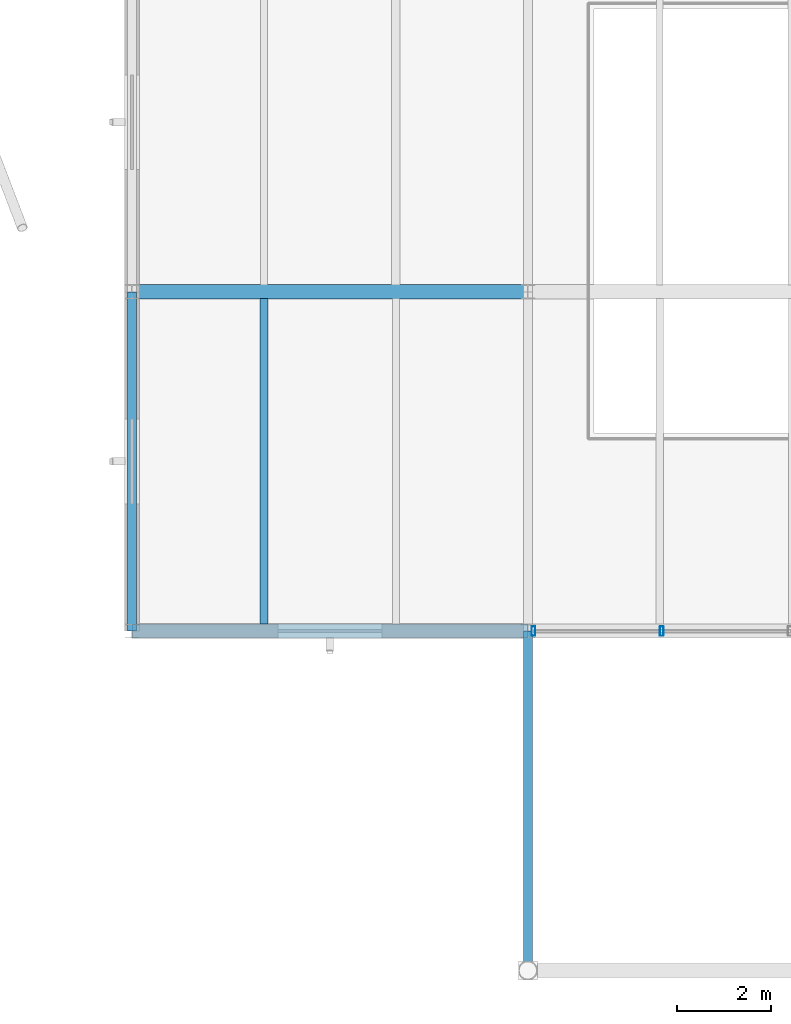
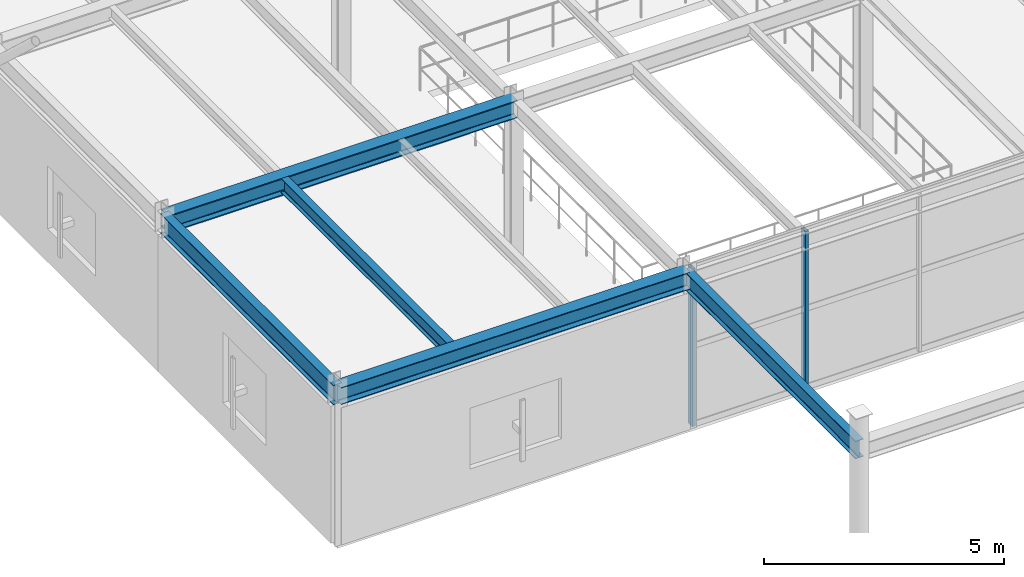
# One storey, part 25 of 109: 5 beams, 2 members, 1 element without a shape of its own.
"""IFC4 building model written with IfcOpenShell, lengths in metres."""

from ifc_helpers import new_model, si_unit, derived_unit, direction, frame, origin, origin_2d, place, context, subcontext, project, spatial, hollow_rectangle, i_section, extrude, material, material_profile, profile_set, type_object, element, aggregate, save


model = new_model("IFC4")

# Units and contexts
model_context = context("Model", 3, precision=1e-05, world=origin(), true_north=direction((0.0, 1.0)))
body_context = subcontext(model_context, "Body", "Model", "MODEL_VIEW")
ifc_project = project(units=[si_unit("LENGTHUNIT", "METRE"), si_unit("AREAUNIT", "SQUARE_METRE"), si_unit("VOLUMEUNIT", "CUBIC_METRE"), si_unit("PLANEANGLEUNIT", "RADIAN"), si_unit("MASSUNIT", "GRAM", prefix="KILO"), derived_unit("THERMALTRANSMITTANCEUNIT", [(si_unit("MASSUNIT", "GRAM", prefix="KILO"), 1), (si_unit("TIMEUNIT", "SECOND"), -3), (si_unit("THERMODYNAMICTEMPERATUREUNIT", "KELVIN"), -1)])], contexts=[model_context])

# Site, building, storey
site_placement = place(None, origin())
site = spatial("IfcSite", under=ifc_project, at=site_placement, CompositionType="ELEMENT")
building_placement = place(site_placement, origin())
building = spatial("IfcBuilding", under=site, at=building_placement, Name="Kharveza Railside Sports Centre", CompositionType="ELEMENT")
storey_placement = place(building_placement, frame((0.0, 0.0, 4.5)))
storey = spatial("IfcBuildingStorey", under=building, at=storey_placement, Name="L01", CompositionType="ELEMENT", Elevation=4.5)

# Beams
ifc_material_1 = material(Name="Steel S355J2", Category="steel")
ifc_material_profile_1 = material_profile(ifc_material_1, i_section(OverallWidth=0.199951171875, OverallDepth=0.5, WebThickness=0.01025390625, FlangeThickness=0.01611328125, FilletRadius=0.02099609375, at=origin_2d()), Name="IPE 500")
ifc_profile_set_1 = profile_set([ifc_material_profile_1], Name="Steel S355J2")
beam_type_1 = type_object("IfcBeamType", Name="BM-G03", PredefinedType="T_BEAM", material=ifc_profile_set_1)
beam_1_placement = place(storey_placement, frame((75.60009765625, 7.199951171875, 3.75), z_axis=(0.0, 1.0, 0.0), x_axis=(-1.0, 0.0, 0.0)))
element("IfcBeam", 1, at=beam_1_placement, inside=storey, type_object=beam_type_1, Name="BM-NS-L01-B03-X756-Y72", PredefinedType="T_BEAM", context=body_context, shape_type="SweptSolid", body=[
    extrude(i_section(OverallWidth=0.199951171875, OverallDepth=0.5, WebThickness=0.01025390625, FlangeThickness=0.01611328125, FilletRadius=0.02099609375, at=origin_2d()), origin(), (0.0, 0.0, 1.0), 7.199951171875),
])
ifc_material_profile_2 = material_profile(ifc_material_1, i_section(OverallWidth=0.18994140625, OverallDepth=0.449951171875, WebThickness=0.009521484375, FlangeThickness=0.0146484375, FilletRadius=0.02099609375, at=origin_2d()), Name="IPE 450")
ifc_profile_set_2 = profile_set([ifc_material_profile_2], Name="Steel S355J2")
beam_type_2 = type_object("IfcBeamType", Name="BM-G04", PredefinedType="T_BEAM", material=ifc_profile_set_2)
beam_2_placement = place(storey_placement, frame((84.0, 0.0, 3.77490234375), z_axis=(0.0, 1.0, 0.0), x_axis=(-1.0, 0.0, 0.0)))
element("IfcBeam", 2, at=beam_2_placement, inside=storey, type_object=beam_type_2, Name="BM-NS-L01-B04-X840-Y0", PredefinedType="T_BEAM", context=body_context, shape_type="SweptSolid", body=[
    extrude(i_section(OverallWidth=0.18994140625, OverallDepth=0.449951171875, WebThickness=0.009521484375, FlangeThickness=0.0146484375, FilletRadius=0.02099609375, at=origin_2d()), origin(), (0.0, 0.0, 1.0), 7.199951171875),
])
ifc_material_profile_3 = material_profile(ifc_material_1, i_section(OverallWidth=0.300048828125, OverallDepth=0.449951171875, WebThickness=0.013916015625, FlangeThickness=0.02587890625, FilletRadius=0.027099609375, at=origin_2d()), Name="HEB 450")
ifc_profile_set_3 = profile_set([ifc_material_profile_3], Name="Steel S355J2")
beam_type_3 = type_object("IfcBeamType", Name="BM-G06", PredefinedType="T_BEAM", material=ifc_profile_set_3)
beam_3_placement = place(storey_placement, frame((75.60009765625, 14.39990234375, 3.77490234375), z_axis=(1.0, 0.0, 0.0), x_axis=(0.0, 1.0, 0.0)))
element("IfcBeam", 3, at=beam_3_placement, inside=storey, type_object=beam_type_3, Name="BM-EW-L01-B06-X756-Y144", PredefinedType="T_BEAM", context=body_context, shape_type="SweptSolid", body=[
    extrude(i_section(OverallWidth=0.300048828125, OverallDepth=0.449951171875, WebThickness=0.013916015625, FlangeThickness=0.02587890625, FilletRadius=0.027099609375, at=origin_2d()), origin(), (0.0, 0.0, 1.0), 8.39990234375),
])
ifc_material_profile_4 = material_profile(ifc_material_1, i_section(OverallWidth=0.169921875, OverallDepth=0.360107421875, WebThickness=0.008056640625, FlangeThickness=0.0126953125, FilletRadius=0.01806640625, at=origin_2d()), Name="IPE 360")
ifc_profile_set_4 = profile_set([ifc_material_profile_4], Name="Steel S355J2")
beam_type_4 = type_object("IfcBeamType", Name="BM-S02", PredefinedType="BEAM", material=ifc_profile_set_4)
beam_4_placement = place(storey_placement, frame((78.39990234375, 7.346923828125, 3.820068359375), z_axis=(0.0, 1.0, 0.0), x_axis=(-1.0, 0.0, 0.0)))
element("IfcBeam", 4, at=beam_4_placement, inside=storey, type_object=beam_type_4, Name="BM-SEC-L01-B10-X784-Y72", PredefinedType="BEAM", context=body_context, shape_type="SweptSolid", body=[
    extrude(i_section(OverallWidth=0.169921875, OverallDepth=0.360107421875, WebThickness=0.008056640625, FlangeThickness=0.0126953125, FilletRadius=0.01806640625, at=origin_2d()), origin(), (0.0, 0.0, 1.0), 6.906005859375),
])
ifc_material_profile_5 = material_profile(ifc_material_1, i_section(OverallWidth=0.300048828125, OverallDepth=0.43994140625, WebThickness=0.011474609375, FlangeThickness=0.02099609375, FilletRadius=0.027099609375, at=origin_2d()), Name="HEA 450")
ifc_profile_set_5 = profile_set([ifc_material_profile_5], Name="Steel S355J2")
beam_type_5 = type_object("IfcBeamType", Name="BM-SP01", PredefinedType="SPANDREL", material=ifc_profile_set_5)
beam_5_placement = place(storey_placement, frame((75.60009765625, 7.199951171875, 3.780029296875), z_axis=(1.0, 0.0, 0.0), x_axis=(0.0, 1.0, 0.0)))
element("IfcBeam", 5, at=beam_5_placement, inside=storey, type_object=beam_type_5, Name="BM-EW-L01-B15-X756-Y72", PredefinedType="SPANDREL", context=body_context, shape_type="SweptSolid", body=[
    extrude(i_section(OverallWidth=0.300048828125, OverallDepth=0.43994140625, WebThickness=0.011474609375, FlangeThickness=0.02099609375, FilletRadius=0.027099609375, at=origin_2d()), origin(), (0.0, 0.0, 1.0), 8.39990234375),
])

# Curtain wall, members
ifc_material_2 = material(Name="Low-E solar-control laminated glass", Category="glass")
curtain_wall_type = type_object("IfcCurtainWallType", Name="CW-WG01", PredefinedType="NOTDEFINED", material=ifc_material_2)
curtain_wall_placement = place(storey_placement, origin())
curtain_wall = element("IfcCurtainWall", 6, at=curtain_wall_placement, inside=storey, type_object=curtain_wall_type, Name="CW-WG-L01-CW-WG01-X882-Y72", PredefinedType="NOTDEFINED")
ifc_material_3 = material(Name="Anodised aluminium 6063-T6", Category="aluminium")
ifc_material_profile_6 = material_profile(ifc_material_3, hollow_rectangle(XDim=0.080078125, YDim=0.199951171875, WallThickness=0.00634765625, InnerFilletRadius=0.00634765625, OuterFilletRadius=0.0126953125, at=origin_2d()), Name="RHS 80x200x6.3")
ifc_profile_set_6 = profile_set([ifc_material_profile_6], Name="Anodised aluminium 6063-T6")
member_type = type_object("IfcMemberType", Name="CW-ML02", PredefinedType="MULLION", material=ifc_profile_set_6)
member_1_placement = place(storey_placement, frame((84.1201171875, 7.199951171875, 0.0), z_axis=(0.0, 0.0, 1.0), x_axis=(1.0, 0.0, 0.0)))
member_1 = element("IfcMember", 7, at=member_1_placement, type_object=member_type, Name="CW-WG-L01-CW-WG01-X882-Y72-ML1", PredefinedType="MULLION", context=body_context, shape_type="SweptSolid", body=[
    extrude(hollow_rectangle(XDim=0.080078125, YDim=0.199951171875, WallThickness=0.00634765625, InnerFilletRadius=0.00634765625, OuterFilletRadius=0.0126953125, at=origin_2d()), origin(), (0.0, 0.0, 1.0), 4.0),
])
member_2_placement = place(storey_placement, frame((86.840087890625, 7.199951171875, 0.0), z_axis=(0.0, 0.0, 1.0), x_axis=(1.0, 0.0, 0.0)))
member_2 = element("IfcMember", 8, at=member_2_placement, type_object=member_type, Name="CW-WG-L01-CW-WG01-X882-Y72-ML2", PredefinedType="MULLION", context=body_context, shape_type="SweptSolid", body=[
    extrude(hollow_rectangle(XDim=0.080078125, YDim=0.199951171875, WallThickness=0.00634765625, InnerFilletRadius=0.00634765625, OuterFilletRadius=0.0126953125, at=origin_2d()), origin(), (0.0, 0.0, 1.0), 4.0),
])
aggregate(curtain_wall, [member_1, member_2])

save(model, "model.ifc")
